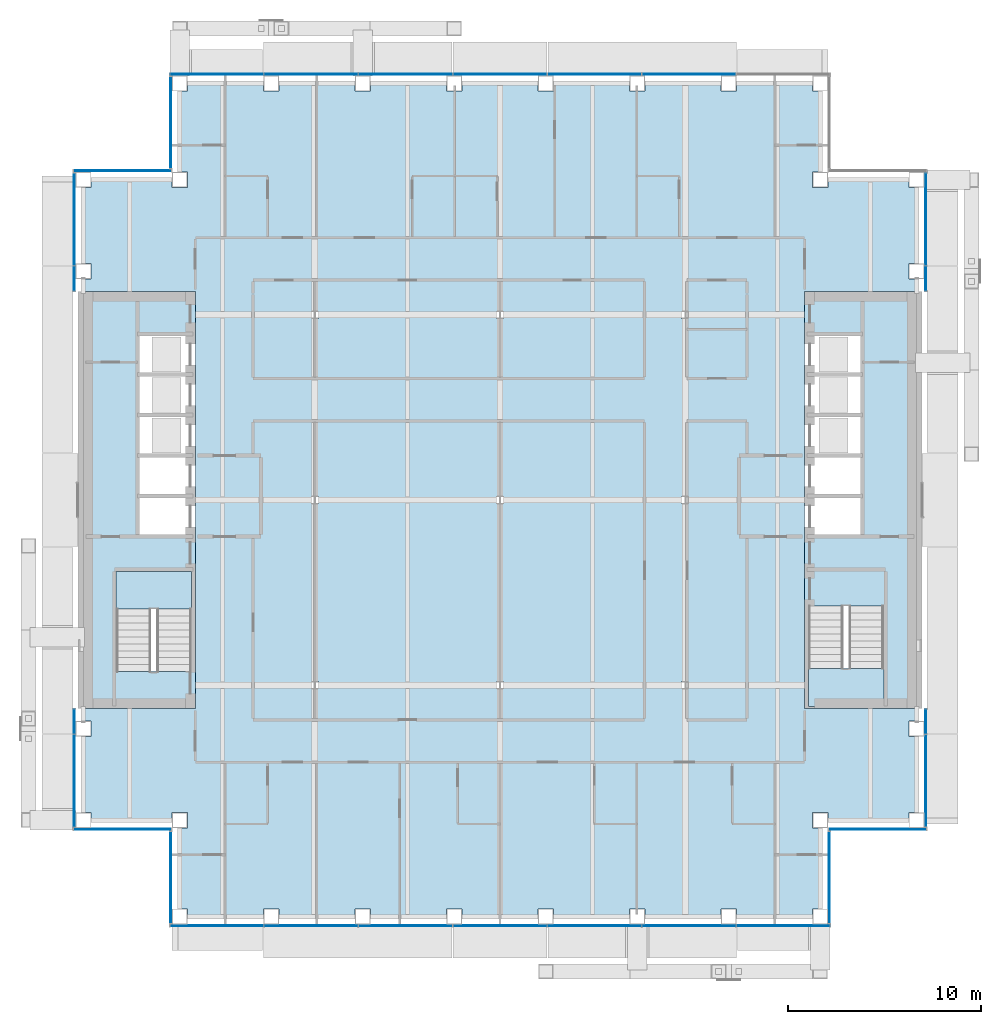
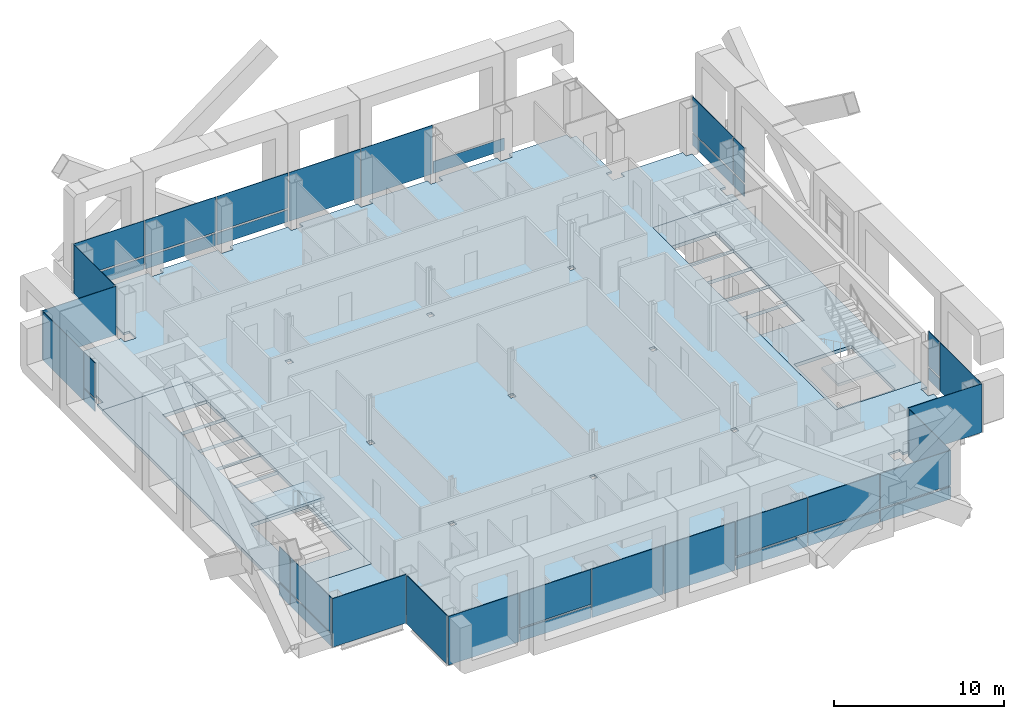
# One storey, part 11 of 22: 40 plates, 5 slabs, 14 elements without a shape of their own.
"""IFC4 building model written with IfcOpenShell, lengths in metres."""

from ifc_helpers import new_model, si_unit, direction, frame, origin, origin_2d, place, context, subcontext, project, spatial, polyline, rectangle, outline, extrude, material, layer, layer_set, type_object, element, aggregate, save


model = new_model("IFC4")

# Units and contexts
model_context = context("Model", 3, precision=1e-05, world=origin(), true_north=direction((0.0, 1.0)))
body_context = subcontext(model_context, "Body", "Model", "MODEL_VIEW")
ifc_project = project(units=[si_unit("LENGTHUNIT", "METRE"), si_unit("AREAUNIT", "SQUARE_METRE"), si_unit("VOLUMEUNIT", "CUBIC_METRE"), si_unit("PLANEANGLEUNIT", "RADIAN"), si_unit("MASSUNIT", "GRAM", prefix="KILO")], contexts=[model_context])

# Site, building, storey
site_placement = place(None, origin())
site = spatial("IfcSite", under=ifc_project, at=site_placement, CompositionType="ELEMENT")
building_placement = place(site_placement, origin())
building = spatial("IfcBuilding", under=site, at=building_placement, Name="Cobrizo Arcos Hotel Tower", CompositionType="ELEMENT")
storey_placement = place(building_placement, frame((0.0, 0.0, 176.0)))
storey = spatial("IfcBuildingStorey", under=building, at=storey_placement, Name="L45", CompositionType="ELEMENT", Elevation=176.0)

# Curtain wall, plates
ifc_material_1 = material(Name="Aluminium 6063-T6 anodised bronze", Category="aluminium")
curtain_wall_type = type_object("IfcCurtainWallType", Name="CW-A guest facade", PredefinedType="NOTDEFINED", material=ifc_material_1)
curtain_wall_1_placement = place(storey_placement, origin())
curtain_wall_1 = element("IfcCurtainWall", 1, at=curtain_wall_1_placement, inside=storey, type_object=curtain_wall_type, Name="CW-A L45 S face", PredefinedType="NOTDEFINED")
ifc_material_2 = material(Name="Glass clear laminated low-e", Category="glass")
ifc_layer_1 = layer(ifc_material_2, 0.0400390625)
ifc_layer_set_1 = layer_set([ifc_layer_1], Name="CW-A glass panel")
plate_type_1 = type_object("IfcPlateType", Name="CW-A glass panel", PredefinedType="CURTAIN_PANEL", material=ifc_layer_set_1)
plate_1_placement = place(storey_placement, frame((-9.800048828125, -22.074951171875, 0.990234375), z_axis=(0.0, 0.0, 1.0), x_axis=(1.0, 0.0, 0.0)))
plate_1 = element("IfcPlate", 2, at=plate_1_placement, type_object=plate_type_1, Name="CW-A glass panel 1577", PredefinedType="CURTAIN_PANEL", context=body_context, shape_type="SweptSolid", body=[
    extrude(rectangle(XDim=4.840087890625, YDim=0.0400390625, at=origin_2d()), origin(), (0.0, 0.0, 1.0), 2.510009765625),
])
plate_2_placement = place(storey_placement, frame((4.89990234375, -22.074951171875, 0.990234375), z_axis=(0.0, 0.0, 1.0), x_axis=(1.0, 0.0, 0.0)))
plate_2 = element("IfcPlate", 3, at=plate_2_placement, type_object=plate_type_1, Name="CW-A glass panel 1580", PredefinedType="CURTAIN_PANEL", context=body_context, shape_type="SweptSolid", body=[
    extrude(rectangle(XDim=4.840087890625, YDim=0.0400390625, at=origin_2d()), origin(), (0.0, 0.0, 1.0), 2.510009765625),
])
plate_3_placement = place(storey_placement, frame((9.800048828125, -22.074951171875, 0.990234375), z_axis=(0.0, 0.0, 1.0), x_axis=(1.0, 0.0, 0.0)))
plate_3 = element("IfcPlate", 4, at=plate_3_placement, type_object=plate_type_1, Name="CW-A glass panel 1581", PredefinedType="CURTAIN_PANEL", context=body_context, shape_type="SweptSolid", body=[
    extrude(rectangle(XDim=4.840087890625, YDim=0.0400390625, at=origin_2d()), origin(), (0.0, 0.0, 1.0), 2.510009765625),
])
plate_4_placement = place(storey_placement, frame((14.68505859375, -22.074951171875, 0.990234375), z_axis=(0.0, 0.0, 1.0), x_axis=(1.0, 0.0, 0.0)))
plate_4 = element("IfcPlate", 5, at=plate_4_placement, type_object=plate_type_1, Name="CW-A glass panel 1582", PredefinedType="CURTAIN_PANEL", context=body_context, shape_type="SweptSolid", body=[
    extrude(rectangle(XDim=4.81005859375, YDim=0.0400390625, at=origin_2d()), origin(), (0.0, 0.0, 1.0), 2.510009765625),
])

# Curtain wall, plate
curtain_wall_2_placement = place(storey_placement, origin())
curtain_wall_2 = element("IfcCurtainWall", 6, at=curtain_wall_2_placement, inside=storey, type_object=curtain_wall_type, Name="CW-A L45 E face", PredefinedType="NOTDEFINED")
plate_5_placement = place(storey_placement, frame((22.074951171875, -11.486328125, 0.990234375), z_axis=(0.0, 0.0, 1.0), x_axis=(0.0, 1.0, 0.0)))
plate_5 = element("IfcPlate", 7, at=plate_5_placement, type_object=plate_type_1, Name="CW-A glass panel 1586", PredefinedType="CURTAIN_PANEL", context=body_context, shape_type="SweptSolid", body=[
    extrude(rectangle(XDim=1.2529296875, YDim=0.0400390625, at=origin_2d()), origin(), (0.0, 0.0, 1.0), 2.510009765625),
])

# Curtain wall, plates
curtain_wall_3_placement = place(storey_placement, origin())
curtain_wall_3 = element("IfcCurtainWall", 8, at=curtain_wall_3_placement, inside=storey, type_object=curtain_wall_type, Name="CW-A L45 E face", PredefinedType="NOTDEFINED")
plate_6_placement = place(storey_placement, frame((22.074951171875, 11.486328125, 0.990234375), z_axis=(0.0, 0.0, 1.0), x_axis=(0.0, 1.0, 0.0)))
plate_6 = element("IfcPlate", 9, at=plate_6_placement, type_object=plate_type_1, Name="CW-A glass panel 1587", PredefinedType="CURTAIN_PANEL", context=body_context, shape_type="SweptSolid", body=[
    extrude(rectangle(XDim=1.2529296875, YDim=0.0400390625, at=origin_2d()), origin(), (0.0, 0.0, 1.0), 2.510009765625),
])
plate_7_placement = place(storey_placement, frame((22.074951171875, 14.556396484375, 0.990234375), z_axis=(0.0, 0.0, 1.0), x_axis=(0.0, 1.0, 0.0)))
plate_7 = element("IfcPlate", 10, at=plate_7_placement, type_object=plate_type_1, Name="CW-A glass panel 1588", PredefinedType="CURTAIN_PANEL", context=body_context, shape_type="SweptSolid", body=[
    extrude(rectangle(XDim=4.76708984375, YDim=0.0400390625, at=origin_2d()), origin(), (0.0, 0.0, 1.0), 2.510009765625),
])

curtain_wall_4_placement = place(storey_placement, origin())
curtain_wall_4 = element("IfcCurtainWall", 11, at=curtain_wall_4_placement, inside=storey, type_object=curtain_wall_type, Name="CW-A L45 N face", PredefinedType="NOTDEFINED")
plate_8_placement = place(storey_placement, frame((-4.89990234375, 22.074951171875, 0.990234375), z_axis=(0.0, 0.0, 1.0), x_axis=(-1.0, 0.0, 0.0)))
plate_8 = element("IfcPlate", 12, at=plate_8_placement, type_object=plate_type_1, Name="CW-A glass panel 1595", PredefinedType="CURTAIN_PANEL", context=body_context, shape_type="SweptSolid", body=[
    extrude(rectangle(XDim=4.840087890625, YDim=0.0400390625, at=origin_2d()), origin(), (0.0, 0.0, 1.0), 2.510009765625),
])
plate_9_placement = place(storey_placement, frame((-9.800048828125, 22.074951171875, 0.990234375), z_axis=(0.0, 0.0, 1.0), x_axis=(-1.0, 0.0, 0.0)))
plate_9 = element("IfcPlate", 13, at=plate_9_placement, type_object=plate_type_1, Name="CW-A glass panel 1596", PredefinedType="CURTAIN_PANEL", context=body_context, shape_type="SweptSolid", body=[
    extrude(rectangle(XDim=4.840087890625, YDim=0.0400390625, at=origin_2d()), origin(), (0.0, 0.0, 1.0), 2.510009765625),
])
plate_10_placement = place(storey_placement, frame((-14.68505859375, 22.074951171875, 0.990234375), z_axis=(0.0, 0.0, 1.0), x_axis=(-1.0, 0.0, 0.0)))
plate_10 = element("IfcPlate", 14, at=plate_10_placement, type_object=plate_type_1, Name="CW-A glass panel 1597", PredefinedType="CURTAIN_PANEL", context=body_context, shape_type="SweptSolid", body=[
    extrude(rectangle(XDim=4.81005859375, YDim=0.0400390625, at=origin_2d()), origin(), (0.0, 0.0, 1.0), 2.510009765625),
])

# Curtain wall, plate
curtain_wall_5_placement = place(storey_placement, origin())
curtain_wall_5 = element("IfcCurtainWall", 15, at=curtain_wall_5_placement, inside=storey, type_object=curtain_wall_type, Name="CW-A L45 W face", PredefinedType="NOTDEFINED")
plate_11_placement = place(storey_placement, frame((-22.074951171875, 11.486328125, 0.990234375), z_axis=(0.0, 0.0, 1.0), x_axis=(0.0, -1.0, 0.0)))
plate_11 = element("IfcPlate", 16, at=plate_11_placement, type_object=plate_type_1, Name="CW-A glass panel 1601", PredefinedType="CURTAIN_PANEL", context=body_context, shape_type="SweptSolid", body=[
    extrude(rectangle(XDim=1.2529296875, YDim=0.0400390625, at=origin_2d()), origin(), (0.0, 0.0, 1.0), 2.510009765625),
])

# Curtain wall, plates
curtain_wall_6_placement = place(storey_placement, origin())
curtain_wall_6 = element("IfcCurtainWall", 17, at=curtain_wall_6_placement, inside=storey, type_object=curtain_wall_type, Name="CW-A L45 W face", PredefinedType="NOTDEFINED")
plate_12_placement = place(storey_placement, frame((-22.074951171875, -11.486328125, 0.990234375), z_axis=(0.0, 0.0, 1.0), x_axis=(0.0, -1.0, 0.0)))
plate_12 = element("IfcPlate", 18, at=plate_12_placement, type_object=plate_type_1, Name="CW-A glass panel 1602", PredefinedType="CURTAIN_PANEL", context=body_context, shape_type="SweptSolid", body=[
    extrude(rectangle(XDim=1.2529296875, YDim=0.0400390625, at=origin_2d()), origin(), (0.0, 0.0, 1.0), 2.510009765625),
])
plate_13_placement = place(storey_placement, frame((-22.074951171875, -14.556396484375, 0.990234375), z_axis=(0.0, 0.0, 1.0), x_axis=(0.0, -1.0, 0.0)))
plate_13 = element("IfcPlate", 19, at=plate_13_placement, type_object=plate_type_1, Name="CW-A glass panel 1603", PredefinedType="CURTAIN_PANEL", context=body_context, shape_type="SweptSolid", body=[
    extrude(rectangle(XDim=4.76708984375, YDim=0.0400390625, at=origin_2d()), origin(), (0.0, 0.0, 1.0), 2.510009765625),
])

# Plate
ifc_material_3 = material(Name="Aluminium composite panel pale metal", Category="aluminium")
ifc_layer_2 = layer(ifc_material_3, 0.0400390625)
ifc_layer_set_2 = layer_set([ifc_layer_2], Name="CW-A spandrel panel")
plate_type_2 = type_object("IfcPlateType", Name="CW-A spandrel panel", PredefinedType="CURTAIN_PANEL", material=ifc_layer_set_2)
plate_14_placement = place(storey_placement, frame((-14.68505859375, -22.074951171875, 0.0), z_axis=(0.0, 0.0, 1.0), x_axis=(1.0, 0.0, 0.0)))
plate_14 = element("IfcPlate", 20, at=plate_14_placement, type_object=plate_type_2, Name="CW-A spandrel panel 1576", PredefinedType="CURTAIN_PANEL", context=body_context, shape_type="SweptSolid", body=[
    extrude(rectangle(XDim=4.81005859375, YDim=0.0400390625, at=origin_2d()), origin(), (0.0, 0.0, 1.0), 3.5),
])

plate_15_placement = place(storey_placement, frame((-9.800048828125, -22.074951171875, 0.0), z_axis=(0.0, 0.0, 1.0), x_axis=(1.0, 0.0, 0.0)))
plate_15 = element("IfcPlate", 21, at=plate_15_placement, type_object=plate_type_2, Name="CW-A spandrel panel 1577", PredefinedType="CURTAIN_PANEL", context=body_context, shape_type="SweptSolid", body=[
    extrude(rectangle(XDim=4.840087890625, YDim=0.0400390625, at=origin_2d()), origin(), (0.0, 0.0, 1.0), 0.8701171875),
])

plate_16_placement = place(storey_placement, frame((-4.89990234375, -22.074951171875, 0.0), z_axis=(0.0, 0.0, 1.0), x_axis=(1.0, 0.0, 0.0)))
plate_16 = element("IfcPlate", 22, at=plate_16_placement, type_object=plate_type_2, Name="CW-A spandrel panel 1578", PredefinedType="CURTAIN_PANEL", context=body_context, shape_type="SweptSolid", body=[
    extrude(rectangle(XDim=4.840087890625, YDim=0.0400390625, at=origin_2d()), origin(), (0.0, 0.0, 1.0), 3.5),
])

plate_17_placement = place(storey_placement, frame((0.0, -22.074951171875, 0.0), z_axis=(0.0, 0.0, 1.0), x_axis=(1.0, 0.0, 0.0)))
plate_17 = element("IfcPlate", 23, at=plate_17_placement, type_object=plate_type_2, Name="CW-A spandrel panel 1579", PredefinedType="CURTAIN_PANEL", context=body_context, shape_type="SweptSolid", body=[
    extrude(rectangle(XDim=4.840087890625, YDim=0.0400390625, at=origin_2d()), origin(), (0.0, 0.0, 1.0), 3.5),
])

plate_18_placement = place(storey_placement, frame((4.89990234375, -22.074951171875, 0.0), z_axis=(0.0, 0.0, 1.0), x_axis=(1.0, 0.0, 0.0)))
plate_18 = element("IfcPlate", 24, at=plate_18_placement, type_object=plate_type_2, Name="CW-A spandrel panel 1580", PredefinedType="CURTAIN_PANEL", context=body_context, shape_type="SweptSolid", body=[
    extrude(rectangle(XDim=4.840087890625, YDim=0.0400390625, at=origin_2d()), origin(), (0.0, 0.0, 1.0), 0.8701171875),
])

plate_19_placement = place(storey_placement, frame((9.800048828125, -22.074951171875, 0.0), z_axis=(0.0, 0.0, 1.0), x_axis=(1.0, 0.0, 0.0)))
plate_19 = element("IfcPlate", 25, at=plate_19_placement, type_object=plate_type_2, Name="CW-A spandrel panel 1581", PredefinedType="CURTAIN_PANEL", context=body_context, shape_type="SweptSolid", body=[
    extrude(rectangle(XDim=4.840087890625, YDim=0.0400390625, at=origin_2d()), origin(), (0.0, 0.0, 1.0), 0.8701171875),
])

plate_20_placement = place(storey_placement, frame((14.68505859375, -22.074951171875, 0.0), z_axis=(0.0, 0.0, 1.0), x_axis=(1.0, 0.0, 0.0)))
plate_20 = element("IfcPlate", 26, at=plate_20_placement, type_object=plate_type_2, Name="CW-A spandrel panel 1582", PredefinedType="CURTAIN_PANEL", context=body_context, shape_type="SweptSolid", body=[
    extrude(rectangle(XDim=4.81005859375, YDim=0.0400390625, at=origin_2d()), origin(), (0.0, 0.0, 1.0), 0.8701171875),
])

aggregate(curtain_wall_1, [plate_14, plate_15, plate_1, plate_16, plate_17, plate_18, plate_2, plate_19, plate_3, plate_20, plate_4])

# Curtain wall, plate
curtain_wall_7_placement = place(storey_placement, origin())
curtain_wall_7 = element("IfcCurtainWall", 27, at=curtain_wall_7_placement, inside=storey, type_object=curtain_wall_type, Name="CW-A L45 E face", PredefinedType="NOTDEFINED")
plate_21_placement = place(storey_placement, frame((17.074951171875, -19.574951171875, 0.0), z_axis=(0.0, 0.0, 1.0), x_axis=(0.0, 1.0, 0.0)))
plate_21 = element("IfcPlate", 28, at=plate_21_placement, type_object=plate_type_2, Name="CW-A spandrel panel 1583", PredefinedType="CURTAIN_PANEL", context=body_context, shape_type="SweptSolid", body=[
    extrude(rectangle(XDim=4.72998046875, YDim=0.0400390625, at=origin_2d()), origin(), (0.0, 0.0, 1.0), 3.5),
])
aggregate(curtain_wall_7, [plate_21])

curtain_wall_8_placement = place(storey_placement, origin())
curtain_wall_8 = element("IfcCurtainWall", 29, at=curtain_wall_8_placement, inside=storey, type_object=curtain_wall_type, Name="CW-A L45 S face", PredefinedType="NOTDEFINED")
plate_22_placement = place(storey_placement, frame((19.574951171875, -17.074951171875, 0.0), z_axis=(0.0, 0.0, 1.0), x_axis=(1.0, 0.0, 0.0)))
plate_22 = element("IfcPlate", 30, at=plate_22_placement, type_object=plate_type_2, Name="CW-A spandrel panel 1584", PredefinedType="CURTAIN_PANEL", context=body_context, shape_type="SweptSolid", body=[
    extrude(rectangle(XDim=5.030029296875, YDim=0.0400390625, at=origin_2d()), origin(), (0.0, 0.0, 1.0), 3.5),
])
aggregate(curtain_wall_8, [plate_22])

# Plate
plate_23_placement = place(storey_placement, frame((22.074951171875, -14.556396484375, 0.0), z_axis=(0.0, 0.0, 1.0), x_axis=(0.0, 1.0, 0.0)))
plate_23 = element("IfcPlate", 31, at=plate_23_placement, type_object=plate_type_2, Name="CW-A spandrel panel 1585", PredefinedType="CURTAIN_PANEL", context=body_context, shape_type="SweptSolid", body=[
    extrude(rectangle(XDim=4.76708984375, YDim=0.0400390625, at=origin_2d()), origin(), (0.0, 0.0, 1.0), 3.5),
])

plate_24_placement = place(storey_placement, frame((22.074951171875, -11.486328125, 0.0), z_axis=(0.0, 0.0, 1.0), x_axis=(0.0, 1.0, 0.0)))
plate_24 = element("IfcPlate", 32, at=plate_24_placement, type_object=plate_type_2, Name="CW-A spandrel panel 1586", PredefinedType="CURTAIN_PANEL", context=body_context, shape_type="SweptSolid", body=[
    extrude(rectangle(XDim=1.2529296875, YDim=0.0400390625, at=origin_2d()), origin(), (0.0, 0.0, 1.0), 0.8701171875),
])

aggregate(curtain_wall_2, [plate_23, plate_24, plate_5])

plate_25_placement = place(storey_placement, frame((22.074951171875, 11.486328125, 0.0), z_axis=(0.0, 0.0, 1.0), x_axis=(0.0, 1.0, 0.0)))
plate_25 = element("IfcPlate", 33, at=plate_25_placement, type_object=plate_type_2, Name="CW-A spandrel panel 1587", PredefinedType="CURTAIN_PANEL", context=body_context, shape_type="SweptSolid", body=[
    extrude(rectangle(XDim=1.2529296875, YDim=0.0400390625, at=origin_2d()), origin(), (0.0, 0.0, 1.0), 0.8701171875),
])

plate_26_placement = place(storey_placement, frame((22.074951171875, 14.556396484375, 0.0), z_axis=(0.0, 0.0, 1.0), x_axis=(0.0, 1.0, 0.0)))
plate_26 = element("IfcPlate", 34, at=plate_26_placement, type_object=plate_type_2, Name="CW-A spandrel panel 1588", PredefinedType="CURTAIN_PANEL", context=body_context, shape_type="SweptSolid", body=[
    extrude(rectangle(XDim=4.76708984375, YDim=0.0400390625, at=origin_2d()), origin(), (0.0, 0.0, 1.0), 0.8701171875),
])

aggregate(curtain_wall_3, [plate_25, plate_6, plate_26, plate_7])

plate_27_placement = place(storey_placement, frame((9.800048828125, 22.074951171875, 0.0), z_axis=(0.0, 0.0, 1.0), x_axis=(-1.0, 0.0, 0.0)))
plate_27 = element("IfcPlate", 35, at=plate_27_placement, type_object=plate_type_2, Name="CW-A spandrel panel 1592", PredefinedType="CURTAIN_PANEL", context=body_context, shape_type="SweptSolid", body=[
    extrude(rectangle(XDim=4.840087890625, YDim=0.0400390625, at=origin_2d()), origin(), (0.0, 0.0, 1.0), 0.8701171875),
])

plate_28_placement = place(storey_placement, frame((4.89990234375, 22.074951171875, 0.0), z_axis=(0.0, 0.0, 1.0), x_axis=(-1.0, 0.0, 0.0)))
plate_28 = element("IfcPlate", 36, at=plate_28_placement, type_object=plate_type_2, Name="CW-A spandrel panel 1593", PredefinedType="CURTAIN_PANEL", context=body_context, shape_type="SweptSolid", body=[
    extrude(rectangle(XDim=4.840087890625, YDim=0.0400390625, at=origin_2d()), origin(), (0.0, 0.0, 1.0), 3.5),
])

plate_29_placement = place(storey_placement, frame((0.0, 22.074951171875, 0.0), z_axis=(0.0, 0.0, 1.0), x_axis=(-1.0, 0.0, 0.0)))
plate_29 = element("IfcPlate", 37, at=plate_29_placement, type_object=plate_type_2, Name="CW-A spandrel panel 1594", PredefinedType="CURTAIN_PANEL", context=body_context, shape_type="SweptSolid", body=[
    extrude(rectangle(XDim=4.840087890625, YDim=0.0400390625, at=origin_2d()), origin(), (0.0, 0.0, 1.0), 3.5),
])

plate_30_placement = place(storey_placement, frame((-4.89990234375, 22.074951171875, 0.0), z_axis=(0.0, 0.0, 1.0), x_axis=(-1.0, 0.0, 0.0)))
plate_30 = element("IfcPlate", 38, at=plate_30_placement, type_object=plate_type_2, Name="CW-A spandrel panel 1595", PredefinedType="CURTAIN_PANEL", context=body_context, shape_type="SweptSolid", body=[
    extrude(rectangle(XDim=4.840087890625, YDim=0.0400390625, at=origin_2d()), origin(), (0.0, 0.0, 1.0), 0.8701171875),
])

plate_31_placement = place(storey_placement, frame((-9.800048828125, 22.074951171875, 0.0), z_axis=(0.0, 0.0, 1.0), x_axis=(-1.0, 0.0, 0.0)))
plate_31 = element("IfcPlate", 39, at=plate_31_placement, type_object=plate_type_2, Name="CW-A spandrel panel 1596", PredefinedType="CURTAIN_PANEL", context=body_context, shape_type="SweptSolid", body=[
    extrude(rectangle(XDim=4.840087890625, YDim=0.0400390625, at=origin_2d()), origin(), (0.0, 0.0, 1.0), 0.8701171875),
])

plate_32_placement = place(storey_placement, frame((-14.68505859375, 22.074951171875, 0.0), z_axis=(0.0, 0.0, 1.0), x_axis=(-1.0, 0.0, 0.0)))
plate_32 = element("IfcPlate", 40, at=plate_32_placement, type_object=plate_type_2, Name="CW-A spandrel panel 1597", PredefinedType="CURTAIN_PANEL", context=body_context, shape_type="SweptSolid", body=[
    extrude(rectangle(XDim=4.81005859375, YDim=0.0400390625, at=origin_2d()), origin(), (0.0, 0.0, 1.0), 0.8701171875),
])

aggregate(curtain_wall_4, [plate_27, plate_28, plate_29, plate_30, plate_8, plate_31, plate_9, plate_32, plate_10])

# Curtain wall, plate
curtain_wall_9_placement = place(storey_placement, origin())
curtain_wall_9 = element("IfcCurtainWall", 41, at=curtain_wall_9_placement, inside=storey, type_object=curtain_wall_type, Name="CW-A L45 W face", PredefinedType="NOTDEFINED")
plate_33_placement = place(storey_placement, frame((-17.074951171875, 19.574951171875, 0.0), z_axis=(0.0, 0.0, 1.0), x_axis=(0.0, -1.0, 0.0)))
plate_33 = element("IfcPlate", 42, at=plate_33_placement, type_object=plate_type_2, Name="CW-A spandrel panel 1598", PredefinedType="CURTAIN_PANEL", context=body_context, shape_type="SweptSolid", body=[
    extrude(rectangle(XDim=4.72998046875, YDim=0.0400390625, at=origin_2d()), origin(), (0.0, 0.0, 1.0), 3.5),
])
aggregate(curtain_wall_9, [plate_33])

curtain_wall_10_placement = place(storey_placement, origin())
curtain_wall_10 = element("IfcCurtainWall", 43, at=curtain_wall_10_placement, inside=storey, type_object=curtain_wall_type, Name="CW-A L45 N face", PredefinedType="NOTDEFINED")
plate_34_placement = place(storey_placement, frame((-19.574951171875, 17.074951171875, 0.0), z_axis=(0.0, 0.0, 1.0), x_axis=(-1.0, 0.0, 0.0)))
plate_34 = element("IfcPlate", 44, at=plate_34_placement, type_object=plate_type_2, Name="CW-A spandrel panel 1599", PredefinedType="CURTAIN_PANEL", context=body_context, shape_type="SweptSolid", body=[
    extrude(rectangle(XDim=5.030029296875, YDim=0.0400390625, at=origin_2d()), origin(), (0.0, 0.0, 1.0), 3.5),
])
aggregate(curtain_wall_10, [plate_34])

# Plate
plate_35_placement = place(storey_placement, frame((-22.074951171875, 14.556396484375, 0.0), z_axis=(0.0, 0.0, 1.0), x_axis=(0.0, -1.0, 0.0)))
plate_35 = element("IfcPlate", 45, at=plate_35_placement, type_object=plate_type_2, Name="CW-A spandrel panel 1600", PredefinedType="CURTAIN_PANEL", context=body_context, shape_type="SweptSolid", body=[
    extrude(rectangle(XDim=4.76708984375, YDim=0.0400390625, at=origin_2d()), origin(), (0.0, 0.0, 1.0), 3.5),
])

plate_36_placement = place(storey_placement, frame((-22.074951171875, 11.486328125, 0.0), z_axis=(0.0, 0.0, 1.0), x_axis=(0.0, -1.0, 0.0)))
plate_36 = element("IfcPlate", 46, at=plate_36_placement, type_object=plate_type_2, Name="CW-A spandrel panel 1601", PredefinedType="CURTAIN_PANEL", context=body_context, shape_type="SweptSolid", body=[
    extrude(rectangle(XDim=1.2529296875, YDim=0.0400390625, at=origin_2d()), origin(), (0.0, 0.0, 1.0), 0.8701171875),
])

aggregate(curtain_wall_5, [plate_35, plate_36, plate_11])

plate_37_placement = place(storey_placement, frame((-22.074951171875, -11.486328125, 0.0), z_axis=(0.0, 0.0, 1.0), x_axis=(0.0, -1.0, 0.0)))
plate_37 = element("IfcPlate", 47, at=plate_37_placement, type_object=plate_type_2, Name="CW-A spandrel panel 1602", PredefinedType="CURTAIN_PANEL", context=body_context, shape_type="SweptSolid", body=[
    extrude(rectangle(XDim=1.2529296875, YDim=0.0400390625, at=origin_2d()), origin(), (0.0, 0.0, 1.0), 0.8701171875),
])

plate_38_placement = place(storey_placement, frame((-22.074951171875, -14.556396484375, 0.0), z_axis=(0.0, 0.0, 1.0), x_axis=(0.0, -1.0, 0.0)))
plate_38 = element("IfcPlate", 48, at=plate_38_placement, type_object=plate_type_2, Name="CW-A spandrel panel 1603", PredefinedType="CURTAIN_PANEL", context=body_context, shape_type="SweptSolid", body=[
    extrude(rectangle(XDim=4.76708984375, YDim=0.0400390625, at=origin_2d()), origin(), (0.0, 0.0, 1.0), 0.8701171875),
])

aggregate(curtain_wall_6, [plate_37, plate_12, plate_38, plate_13])

# Curtain wall, plate
curtain_wall_11_placement = place(storey_placement, origin())
curtain_wall_11 = element("IfcCurtainWall", 49, at=curtain_wall_11_placement, inside=storey, type_object=curtain_wall_type, Name="CW-A L45 S face", PredefinedType="NOTDEFINED")
plate_39_placement = place(storey_placement, frame((-19.574951171875, -17.074951171875, 0.0), z_axis=(0.0, 0.0, 1.0), x_axis=(1.0, 0.0, 0.0)))
plate_39 = element("IfcPlate", 50, at=plate_39_placement, type_object=plate_type_2, Name="CW-A spandrel panel 1604", PredefinedType="CURTAIN_PANEL", context=body_context, shape_type="SweptSolid", body=[
    extrude(rectangle(XDim=5.030029296875, YDim=0.0400390625, at=origin_2d()), origin(), (0.0, 0.0, 1.0), 3.5),
])
aggregate(curtain_wall_11, [plate_39])

curtain_wall_12_placement = place(storey_placement, origin())
curtain_wall_12 = element("IfcCurtainWall", 51, at=curtain_wall_12_placement, inside=storey, type_object=curtain_wall_type, Name="CW-A L45 W face", PredefinedType="NOTDEFINED")
plate_40_placement = place(storey_placement, frame((-17.074951171875, -19.574951171875, 0.0), z_axis=(0.0, 0.0, 1.0), x_axis=(0.0, -1.0, 0.0)))
plate_40 = element("IfcPlate", 52, at=plate_40_placement, type_object=plate_type_2, Name="CW-A spandrel panel 1605", PredefinedType="CURTAIN_PANEL", context=body_context, shape_type="SweptSolid", body=[
    extrude(rectangle(XDim=4.72998046875, YDim=0.0400390625, at=origin_2d()), origin(), (0.0, 0.0, 1.0), 3.5),
])
aggregate(curtain_wall_12, [plate_40])

# Slabs
ifc_material_4 = material(Name="Concrete f'c 35 MPa", Category="concrete")
ifc_layer_3 = layer(ifc_material_4, 0.14990234375)
ifc_layer_set_3 = layer_set([ifc_layer_3], Name="Composite floor slab 150 f'c 35")
slab_type_1 = type_object("IfcSlabType", Name="Composite floor slab 150 f'c 35", PredefinedType="FLOOR", material=ifc_layer_set_3)
slab_1_placement = place(storey_placement, frame((0.0, 0.0, -0.14990234375)))
element("IfcSlab", 53, at=slab_1_placement, inside=storey, type_object=slab_type_1, Name="Floor slab S5, L45, no. 01", PredefinedType="FLOOR", context=body_context, shape_type="SweptSolid", body=[
    extrude(outline(polyline([(-16.199951171875, -21.60009765625), (-16.199951171875, -21.199951171875), (-16.60009765625, -21.199951171875), (-16.60009765625, -17.0), (-16.199951171875, -17.0), (-16.199951171875, -16.199951171875), (-17.0, -16.199951171875), (-17.0, -16.60009765625), (-21.199951171875, -16.60009765625), (-21.199951171875, -16.199951171875), (-21.60009765625, -16.199951171875), (-21.60009765625, -12.257080078125), (-21.199951171875, -12.257080078125), (-21.199951171875, -11.45703125), (-21.60009765625, -11.45703125), (-21.60009765625, -10.800048828125), (-15.800048828125, -10.800048828125), (-15.800048828125, 10.800048828125), (-21.60009765625, 10.800048828125), (-21.60009765625, 11.45703125), (-21.199951171875, 11.45703125), (-21.199951171875, 12.257080078125), (-21.60009765625, 12.257080078125), (-21.60009765625, 16.199951171875), (-21.199951171875, 16.199951171875), (-21.199951171875, 16.60009765625), (-17.0, 16.60009765625), (-17.0, 16.199951171875), (-16.199951171875, 16.199951171875), (-16.199951171875, 17.0), (-16.60009765625, 17.0), (-16.60009765625, 21.199951171875), (-16.199951171875, 21.199951171875), (-16.199951171875, 21.60009765625), (-12.257080078125, 21.60009765625), (-12.257080078125, 21.199951171875), (-11.45703125, 21.199951171875), (-11.45703125, 21.60009765625), (-7.513916015625, 21.60009765625), (-7.513916015625, 21.199951171875), (-6.714111328125, 21.199951171875), (-6.714111328125, 21.60009765625), (-2.77099609375, 21.60009765625), (-2.77099609375, 21.199951171875), (-1.970947265625, 21.199951171875), (-1.970947265625, 21.60009765625), (1.970947265625, 21.60009765625), (1.970947265625, 21.199951171875), (2.77099609375, 21.199951171875), (2.77099609375, 21.60009765625), (6.714111328125, 21.60009765625), (6.714111328125, 21.199951171875), (7.513916015625, 21.199951171875), (7.513916015625, 21.60009765625), (11.45703125, 21.60009765625), (11.45703125, 21.199951171875), (12.257080078125, 21.199951171875), (12.257080078125, 21.60009765625), (16.199951171875, 21.60009765625), (16.199951171875, 21.199951171875), (16.60009765625, 21.199951171875), (16.60009765625, 17.0), (16.199951171875, 17.0), (16.199951171875, 16.199951171875), (17.0, 16.199951171875), (17.0, 16.60009765625), (21.199951171875, 16.60009765625), (21.199951171875, 16.199951171875), (21.60009765625, 16.199951171875), (21.60009765625, 12.257080078125), (21.199951171875, 12.257080078125), (21.199951171875, 11.45703125), (21.60009765625, 11.45703125), (21.60009765625, 10.800048828125), (15.800048828125, 10.800048828125), (15.800048828125, -10.800048828125), (21.60009765625, -10.800048828125), (21.60009765625, -11.45703125), (21.199951171875, -11.45703125), (21.199951171875, -12.257080078125), (21.60009765625, -12.257080078125), (21.60009765625, -16.199951171875), (21.199951171875, -16.199951171875), (21.199951171875, -16.60009765625), (17.0, -16.60009765625), (17.0, -16.199951171875), (16.199951171875, -16.199951171875), (16.199951171875, -17.0), (16.60009765625, -17.0), (16.60009765625, -21.199951171875), (16.199951171875, -21.199951171875), (16.199951171875, -21.60009765625), (12.257080078125, -21.60009765625), (12.257080078125, -21.199951171875), (11.45703125, -21.199951171875), (11.45703125, -21.60009765625), (7.513916015625, -21.60009765625), (7.513916015625, -21.199951171875), (6.714111328125, -21.199951171875), (6.714111328125, -21.60009765625), (2.77099609375, -21.60009765625), (2.77099609375, -21.199951171875), (1.970947265625, -21.199951171875), (1.970947265625, -21.60009765625), (-1.970947265625, -21.60009765625), (-1.970947265625, -21.199951171875), (-2.77099609375, -21.199951171875), (-2.77099609375, -21.60009765625), (-6.714111328125, -21.60009765625), (-6.714111328125, -21.199951171875), (-7.513916015625, -21.199951171875), (-7.513916015625, -21.60009765625), (-11.45703125, -21.60009765625), (-11.45703125, -21.199951171875), (-12.257080078125, -21.199951171875), (-12.257080078125, -21.60009765625), (-16.199951171875, -21.60009765625)]), holes=[polyline([(-0.186767578125, -9.78662109375), (0.186767578125, -9.78662109375), (0.186767578125, -9.413330078125), (-0.186767578125, -9.413330078125), (-0.186767578125, -9.78662109375)]), polyline([(-9.78662109375, -9.78662109375), (-9.413330078125, -9.78662109375), (-9.413330078125, -9.413330078125), (-9.78662109375, -9.413330078125), (-9.78662109375, -9.78662109375)]), polyline([(-9.413330078125, -0.186767578125), (-9.413330078125, 0.186767578125), (-9.78662109375, 0.186767578125), (-9.78662109375, -0.186767578125), (-9.413330078125, -0.186767578125)]), polyline([(0.186767578125, -0.186767578125), (0.186767578125, 0.186767578125), (-0.186767578125, 0.186767578125), (-0.186767578125, -0.186767578125), (0.186767578125, -0.186767578125)]), polyline([(-9.78662109375, 9.413330078125), (-9.413330078125, 9.413330078125), (-9.413330078125, 9.78662109375), (-9.78662109375, 9.78662109375), (-9.78662109375, 9.413330078125)]), polyline([(9.413330078125, -9.78662109375), (9.78662109375, -9.78662109375), (9.78662109375, -9.413330078125), (9.413330078125, -9.413330078125), (9.413330078125, -9.78662109375)]), polyline([(9.413330078125, -0.186767578125), (9.78662109375, -0.186767578125), (9.78662109375, 0.186767578125), (9.413330078125, 0.186767578125), (9.413330078125, -0.186767578125)]), polyline([(9.78662109375, 9.413330078125), (9.78662109375, 9.78662109375), (9.413330078125, 9.78662109375), (9.413330078125, 9.413330078125), (9.78662109375, 9.413330078125)]), polyline([(0.186767578125, 9.413330078125), (0.186767578125, 9.78662109375), (-0.186767578125, 9.78662109375), (-0.186767578125, 9.413330078125), (0.186767578125, 9.413330078125)])]), origin(), (0.0, 0.0, 1.0), 0.14990234375),
])
ifc_material_5 = material(Name="Concrete f'c 50 MPa", Category="concrete")
ifc_layer_4 = layer(ifc_material_5, 0.25)
ifc_layer_set_4 = layer_set([ifc_layer_4], Name="RC core floor slab 250 f'c 50")
slab_type_2 = type_object("IfcSlabType", Name="RC core floor slab 250 f'c 50", PredefinedType="FLOOR", material=ifc_layer_set_4)
slab_2_placement = place(storey_placement, frame((0.0, 0.0, -0.25)))
element("IfcSlab", 54, at=slab_2_placement, inside=storey, type_object=slab_type_2, Name="Core floor slab CS5, east core, L45", PredefinedType="FLOOR", context=body_context, shape_type="SweptSolid", body=[
    extrude(outline(polyline([(15.800048828125, 10.800048828125), (21.60009765625, 10.800048828125), (21.60009765625, -10.800048828125), (15.800048828125, -10.800048828125), (15.800048828125, 10.800048828125)]), holes=[polyline([(19.89794921875, -10.697998046875), (19.89794921875, -5.501953125), (16.001953125, -5.501953125), (16.001953125, -10.697998046875), (19.89794921875, -10.697998046875)]), polyline([(15.802001953125, 0.197998046875), (15.802001953125, -1.89794921875), (18.798095703125, -1.89794921875), (18.798095703125, 0.197998046875), (15.802001953125, 0.197998046875)]), polyline([(15.802001953125, 2.298095703125), (15.802001953125, 0.201904296875), (18.798095703125, 0.201904296875), (18.798095703125, 2.298095703125), (15.802001953125, 2.298095703125)]), polyline([(15.802001953125, 4.39794921875), (15.802001953125, 2.302001953125), (18.798095703125, 2.302001953125), (18.798095703125, 4.39794921875), (15.802001953125, 4.39794921875)]), polyline([(18.798095703125, 6.498046875), (15.802001953125, 6.498046875), (15.802001953125, 4.402099609375), (18.798095703125, 4.402099609375), (18.798095703125, 6.498046875)]), polyline([(18.798095703125, 8.597900390625), (15.802001953125, 8.597900390625), (15.802001953125, 6.501953125), (18.798095703125, 6.501953125), (18.798095703125, 8.597900390625)])]), origin(), (0.0, 0.0, 1.0), 0.25),
])
slab_3_placement = place(storey_placement, frame((0.0, 0.0, -0.25)))
element("IfcSlab", 55, at=slab_3_placement, inside=storey, type_object=slab_type_2, Name="Core floor slab CS5, west core, L45", PredefinedType="FLOOR", context=body_context, shape_type="SweptSolid", body=[
    extrude(outline(polyline([(-21.60009765625, 10.800048828125), (-15.800048828125, 10.800048828125), (-15.800048828125, -10.800048828125), (-21.60009765625, -10.800048828125), (-21.60009765625, 10.800048828125)]), holes=[polyline([(-19.89794921875, -3.701904296875), (-19.89794921875, -8.89794921875), (-16.001953125, -8.89794921875), (-16.001953125, -3.701904296875), (-19.89794921875, -3.701904296875)]), polyline([(-18.798095703125, 0.197998046875), (-18.798095703125, -1.89794921875), (-15.802001953125, -1.89794921875), (-15.802001953125, 0.197998046875), (-18.798095703125, 0.197998046875)]), polyline([(-18.798095703125, 2.298095703125), (-18.798095703125, 0.201904296875), (-15.802001953125, 0.201904296875), (-15.802001953125, 2.298095703125), (-18.798095703125, 2.298095703125)]), polyline([(-18.798095703125, 4.39794921875), (-18.798095703125, 2.302001953125), (-15.802001953125, 2.302001953125), (-15.802001953125, 4.39794921875), (-18.798095703125, 4.39794921875)]), polyline([(-15.802001953125, 6.498046875), (-18.798095703125, 6.498046875), (-18.798095703125, 4.402099609375), (-15.802001953125, 4.402099609375), (-15.802001953125, 6.498046875)]), polyline([(-15.802001953125, 8.597900390625), (-18.798095703125, 8.597900390625), (-18.798095703125, 6.501953125), (-15.802001953125, 6.501953125), (-15.802001953125, 8.597900390625)])]), origin(), (0.0, 0.0, 1.0), 0.25),
])

# Stair, slab
ifc_material_6 = material(Name="Concrete f'c 40 MPa", Category="concrete")
stair_type = type_object("IfcStairType", Name="Exit stair", PredefinedType="HALF_TURN_STAIR", material=ifc_material_6)
stair_1_placement = place(storey_placement, origin())
stair_1 = element("IfcStair", 56, at=stair_1_placement, inside=storey, type_object=stair_type, Name="L45 Exit stair ST-W", PredefinedType="HALF_TURN_STAIR")
ifc_layer_5 = layer(ifc_material_6, 0.199951171875)
ifc_layer_set_5 = layer_set([ifc_layer_5], Name="Stair landing")
slab_type_3 = type_object("IfcSlabType", Name="Stair landing", PredefinedType="LANDING", material=ifc_layer_set_5)
slab_4_placement = place(storey_placement, frame((0.0, 0.0, 1.550048828125)))
slab_4 = element("IfcSlab", 57, at=slab_4_placement, type_object=slab_type_3, Name="ST-W landing 1", PredefinedType="LANDING", context=body_context, shape_type="SweptSolid", body=[
    extrude(outline(polyline([(-16.0, -5.659912109375), (-16.0, -3.699951171875), (-19.89990234375, -3.699951171875), (-19.89990234375, -5.659912109375), (-16.0, -5.659912109375)])), origin(), (0.0, 0.0, 1.0), 0.199951171875),
])
aggregate(stair_1, [slab_4])

stair_2_placement = place(storey_placement, origin())
stair_2 = element("IfcStair", 58, at=stair_2_placement, inside=storey, type_object=stair_type, Name="L45 Exit stair ST-E", PredefinedType="HALF_TURN_STAIR")
slab_5_placement = place(storey_placement, frame((0.0, 0.0, 1.550048828125)))
slab_5 = element("IfcSlab", 59, at=slab_5_placement, type_object=slab_type_3, Name="ST-E landing 1", PredefinedType="LANDING", context=body_context, shape_type="SweptSolid", body=[
    extrude(outline(polyline([(16.0, -8.739990234375), (16.0, -10.699951171875), (19.89990234375, -10.699951171875), (19.89990234375, -8.739990234375), (16.0, -8.739990234375)])), origin(), (0.0, 0.0, 1.0), 0.199951171875),
])
aggregate(stair_2, [slab_5])

save(model, "model.ifc")
